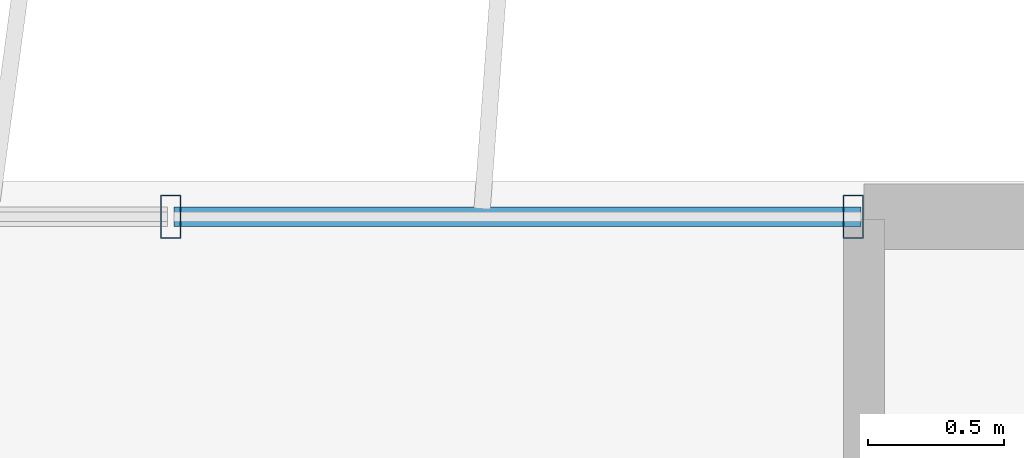
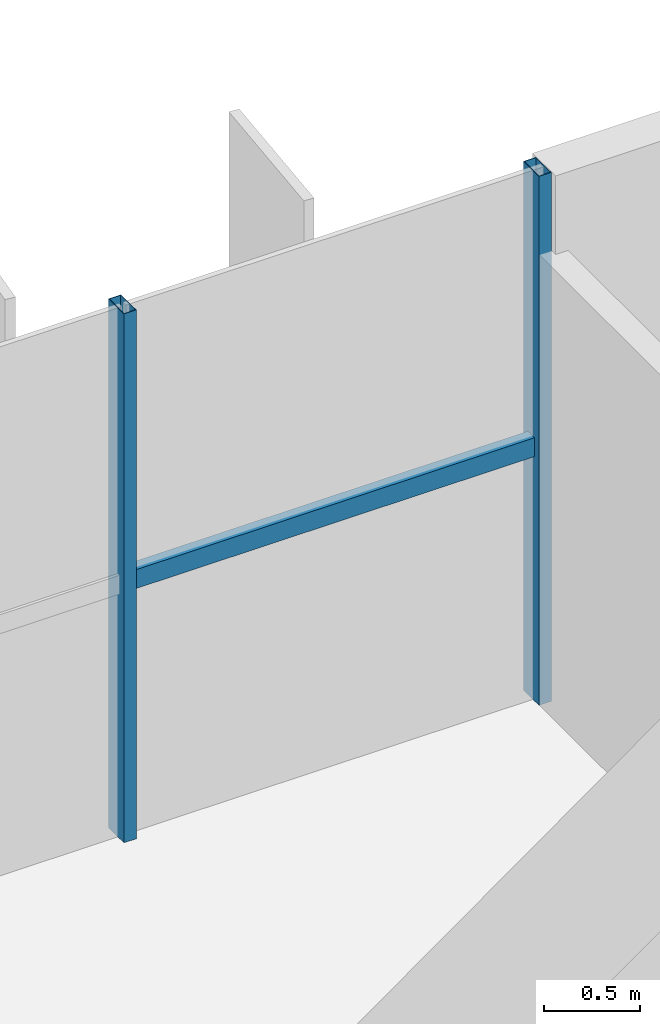
# One storey, part 14 of 22: 3 members, 1 element without a shape of its own.
"""IFC4 building model written with IfcOpenShell, lengths in metres."""

import ifcopenshell
import ifcopenshell.guid

model = None  # the IFC model being written
_history = None  # IfcOwnerHistory: only IFC2X3 demands one
_inside = {}  # id of a spatial element -> (the spatial element, [elements in it])
_under = {}  # id of a project, library or spatial element -> (it, [spatial elements below it])
_declared = {}  # id of a project -> (the project, [libraries it declares])
_typed = {}  # id of a type object -> (the type object, [elements of that type])
_made_of = {}  # id of a material, layer set ... -> (it, [elements and type objects made of it])


def new_model(schema):
    """Start an empty IFC model of exactly this schema.

    Asked for "IFC4X3", IfcOpenShell would pick the latest addendum, in which some entities
    have other attributes; the version numbers below select the first issue.
    IFC2X3 requires an IfcOwnerHistory on every rooted entity: one is made here for all.
    """
    global model, _history
    if schema == "IFC4X3":
        model = ifcopenshell.file(schema_version=(4, 3, 0, 0))
    else:
        model = ifcopenshell.file(schema=schema)
    _inside.clear()
    _under.clear()
    _declared.clear()
    _typed.clear()
    _made_of.clear()
    _history = None
    if model.schema == "IFC2X3":
        org = make("IfcOrganization", Name="unknown")
        user = make(
            "IfcPersonAndOrganization",
            ThePerson=make("IfcPerson", FamilyName="unknown"),
            TheOrganization=org,
        )
        app = make(
            "IfcApplication",
            ApplicationDeveloper=org,
            Version="unknown",
            ApplicationFullName="unknown",
            ApplicationIdentifier="unknown",
        )
        _history = make(
            "IfcOwnerHistory",
            OwningUser=user,
            OwningApplication=app,
            ChangeAction="ADDED",
            CreationDate=0,
        )
    return model


def make(cls, **values):
    """One entity of the class cls with the attributes given. An attribute that is None is left unset."""
    return model.create_entity(
        cls, **{name: value for name, value in values.items() if value is not None}
    )


def rooted(cls, **values):
    """An entity with a GlobalId (a new one), such as an element, a storey or a relation."""
    return make(cls, GlobalId=ifcopenshell.guid.new(), OwnerHistory=_history, **values)


def si_unit(unit_type, name, prefix=None):
    """IfcSIUnit, for example si_unit("LENGTHUNIT", "METRE", prefix="MILLI")."""
    return make("IfcSIUnit", UnitType=unit_type, Prefix=prefix, Name=name)


def assignment(units):
    """IfcUnitAssignment: the units of a project."""
    return None if units is None else make("IfcUnitAssignment", Units=units)


def point(xyz):
    """IfcCartesianPoint."""
    return None if xyz is None else make("IfcCartesianPoint", Coordinates=xyz)


def direction(xyz):
    """IfcDirection."""
    return None if xyz is None else make("IfcDirection", DirectionRatios=xyz)


def frame(location, z_axis=None, x_axis=None):
    """IfcAxis2Placement3D, a coordinate frame: its origin and axes. An axis left out is left unset."""
    return make(
        "IfcAxis2Placement3D",
        Location=point(location),
        Axis=direction(z_axis),
        RefDirection=direction(x_axis),
    )


def frame_2d(location, x_axis=None):
    """IfcAxis2Placement2D, a coordinate frame in the plane: its origin and x axis."""
    return make(
        "IfcAxis2Placement2D", Location=point(location), RefDirection=direction(x_axis)
    )


def origin():
    """The frame at (0, 0, 0) with its axes left unset."""
    return frame((0.0, 0.0, 0.0))


def origin_2d():
    """The frame at (0, 0) in the plane with its x axis left unset."""
    return frame_2d((0.0, 0.0))


def place(relative_to, where):
    """IfcLocalPlacement: puts the frame where relative to a parent placement (None: the world)."""
    return make(
        "IfcLocalPlacement", PlacementRelTo=relative_to, RelativePlacement=where
    )


def context(
    kind, dimensions, precision=None, world=None, true_north=None, identifier=None
):
    """IfcGeometricRepresentationContext, for example the 3D "Model" context."""
    return make(
        "IfcGeometricRepresentationContext",
        ContextIdentifier=identifier,
        ContextType=kind,
        CoordinateSpaceDimension=dimensions,
        Precision=precision,
        WorldCoordinateSystem=world,
        TrueNorth=true_north,
    )


def subcontext(parent, identifier, kind, view, scale=None):
    """IfcGeometricRepresentationSubContext, for example "Body" below "Model"."""
    return make(
        "IfcGeometricRepresentationSubContext",
        ContextIdentifier=identifier,
        ContextType=kind,
        ParentContext=parent,
        TargetScale=scale,
        TargetView=view,
    )


def project(units=None, contexts=None):
    """IfcProject with its units and contexts."""
    return rooted(
        "IfcProject",
        Name="project",
        RepresentationContexts=contexts,
        UnitsInContext=assignment(units),
    )


def spatial(cls, under=None, at=None, **own):
    """A site, building, storey or space (cls), placed at a placement, below another one or the project."""
    s = rooted(cls, ObjectPlacement=at, **own)
    if under is not None:
        _under.setdefault(under.id(), (under, []))[1].append(s)
    return s


def profile(cls, at=None, kind="AREA", **sizes):
    """A parametric profile (cls). Its sizes go by their IFC names, for example OverallWidth=200.0."""
    return make(cls, ProfileType=kind, Position=at, **sizes)


def hollow_rectangle(**sizes):
    """IfcRectangleHollowProfileDef."""
    return profile("IfcRectangleHollowProfileDef", **sizes)


def extrude(swept, where, along, depth):
    """IfcExtrudedAreaSolid: the profile swept, set in the frame where, extruded along a direction by depth."""
    return make(
        "IfcExtrudedAreaSolid",
        SweptArea=swept,
        Position=where,
        ExtrudedDirection=direction(along),
        Depth=depth,
    )


def shape(context_of_items, identifier, shape_type, items):
    """IfcShapeRepresentation: the items that make up one representation, for example the "Body"."""
    return make(
        "IfcShapeRepresentation",
        ContextOfItems=context_of_items,
        RepresentationIdentifier=identifier,
        RepresentationType=shape_type,
        Items=items,
    )


def source(mapping_origin, context_of_items, identifier, shape_type, items):
    """IfcRepresentationMap: a shape defined once, which mapped items show again and again."""
    return make(
        "IfcRepresentationMap",
        MappingOrigin=mapping_origin,
        MappedRepresentation=shape(context_of_items, identifier, shape_type, items),
    )


def transform(
    local_origin,
    x_axis=None,
    y_axis=None,
    z_axis=None,
    scale=None,
    scale2=None,
    scale3=None,
    uniform=True,
):
    """IfcCartesianTransformationOperator3D, or its non-uniform kind. x_axis, y_axis, z_axis: its Axis1, 2, 3."""
    if uniform:
        return make(
            "IfcCartesianTransformationOperator3D",
            Axis1=direction(x_axis),
            Axis2=direction(y_axis),
            LocalOrigin=point(local_origin),
            Scale=scale,
            Axis3=direction(z_axis),
        )
    return make(
        "IfcCartesianTransformationOperator3DnonUniform",
        Axis1=direction(x_axis),
        Axis2=direction(y_axis),
        LocalOrigin=point(local_origin),
        Scale=scale,
        Axis3=direction(z_axis),
        Scale2=scale2,
        Scale3=scale3,
    )


def mapped(mapping_source, mapping_target):
    """IfcMappedItem: shows the shape of a source again, moved by a transform."""
    return make(
        "IfcMappedItem", MappingSource=mapping_source, MappingTarget=mapping_target
    )


def material(Name=None, Category=None):
    """IfcMaterial."""
    return make("IfcMaterial", Name=Name, Category=Category)


def material_profile(
    of_material, cross_section, Name=None, Category=None, Priority=None
):
    """IfcMaterialProfile: a cross section and its material."""
    return make(
        "IfcMaterialProfile",
        Name=Name,
        Material=of_material,
        Profile=cross_section,
        Priority=Priority,
        Category=Category,
    )


def profile_set(profiles, Name=None, composite=None):
    """IfcMaterialProfileSet."""
    return make(
        "IfcMaterialProfileSet",
        Name=Name,
        MaterialProfiles=profiles,
        CompositeProfile=composite,
    )


def made_of(thing, what):
    """Note that an element or type object is made of a material, layer set ...; save() writes the relation."""
    if what is not None:
        _made_of.setdefault(what.id(), (what, []))[1].append(thing)
    return thing


def type_object(cls, material=None, **own):
    """A type object (cls), such as IfcWallType, which elements share."""
    return made_of(rooted(cls, **own), material)


def element(
    cls,
    number,
    at=None,
    inside=None,
    cuts=None,
    type_object=None,
    material=None,
    context=None,
    identifier="Body",
    shape_type=None,
    held_by="IfcProductDefinitionShape",
    body=None,
    shapes=None,
    **own,
):
    """One element of the class cls, such as IfcWall. Its Tag is "e" and its number.

    at: its placement. inside: the storey or other place that contains it. cuts: it is an
    opening in that element (IfcRelVoidsElement). A single representation is given by context,
    identifier, shape_type and body (its items); several are given by shapes. held_by: the class
    of the entity that holds the representations. save() writes the other relations.
    """
    e = rooted(cls, Tag="e%d" % number, ObjectPlacement=at, **own)
    if body is not None:
        shapes = [shape(context, identifier, shape_type, body)]
    if shapes is not None:
        e.Representation = make(held_by, Representations=shapes)
    if inside is not None:
        _inside.setdefault(inside.id(), (inside, []))[1].append(e)
    if cuts is not None:
        rooted(
            "IfcRelVoidsElement", RelatingBuildingElement=cuts, RelatedOpeningElement=e
        )
    if type_object is not None:
        _typed.setdefault(type_object.id(), (type_object, []))[1].append(e)
    return made_of(e, material)


def aggregate(whole, parts):
    """IfcRelAggregates: a whole, such as a stair, and the parts it consists of."""
    return rooted("IfcRelAggregates", RelatingObject=whole, RelatedObjects=parts)


def save(model, path):
    """Write the relations noted so far, then the file.

    IfcRelAggregates (storeys below a building ...), IfcRelContainedInSpatialStructure (elements
    in a storey), IfcRelDefinesByType, IfcRelAssociatesMaterial and IfcRelDeclares: one each for
    every whole, place, type object, material and project.
    """
    for whole, parts in _under.values():
        aggregate(whole, parts)
    for where, things in _inside.values():
        rooted(
            "IfcRelContainedInSpatialStructure",
            RelatedElements=things,
            RelatingStructure=where,
        )
    for kind, things in _typed.values():
        rooted("IfcRelDefinesByType", RelatedObjects=things, RelatingType=kind)
    for what, things in _made_of.values():
        rooted("IfcRelAssociatesMaterial", RelatedObjects=things, RelatingMaterial=what)
    for by, libraries in _declared.values():
        rooted("IfcRelDeclares", RelatingContext=by, RelatedDefinitions=libraries)
    model.write(path)


model = new_model("IFC4")

# Units and contexts
model_context = context("Model", 3, precision=1e-05, world=origin(), true_north=direction((0.0, 1.0)))
body_context = subcontext(model_context, "Body", "Model", "MODEL_VIEW")
ifc_project = project(units=[si_unit("LENGTHUNIT", "METRE"), si_unit("AREAUNIT", "SQUARE_METRE"), si_unit("VOLUMEUNIT", "CUBIC_METRE"), si_unit("PLANEANGLEUNIT", "RADIAN"), si_unit("MASSUNIT", "GRAM", prefix="KILO")], contexts=[model_context])

# Site, building, storey
site_placement = place(None, origin())
site = spatial("IfcSite", under=ifc_project, at=site_placement, CompositionType="ELEMENT")
building_placement = place(site_placement, origin())
building = spatial("IfcBuilding", under=site, at=building_placement, Name="Trelvane Seafront Commons", CompositionType="ELEMENT")
storey_placement = place(building_placement, frame((0.0, 0.0, 288.300048828125)))
storey = spatial("IfcBuildingStorey", under=building, at=storey_placement, Name="L75", CompositionType="ELEMENT", Elevation=288.300048828125)

# Curtain wall, members
ifc_material = material(Name="Anodised pale-silver aluminium", Category="aluminium")
curtain_wall_type = type_object("IfcCurtainWallType", Name="ARCH-CW5-UPTOWER", PredefinedType="NOTDEFINED", material=ifc_material)
curtain_wall_placement = place(storey_placement, origin())
curtain_wall = element("IfcCurtainWall", 1, at=curtain_wall_placement, inside=storey, type_object=curtain_wall_type, Name="CW-L75-0119", PredefinedType="NOTDEFINED")
ifc_material_profile_1 = material_profile(ifc_material, hollow_rectangle(XDim=0.070068359375, YDim=0.1201171875, WallThickness=0.00390625, at=origin_2d()), Name="TRAN-70x120x4")
ifc_profile_set_1 = profile_set([ifc_material_profile_1], Name="Anodised pale-silver aluminium")
member_type_1 = type_object("IfcMemberType", Name="ARCH-CW-TRAN-120", PredefinedType="USERDEFINED", material=ifc_profile_set_1)
shared_shape_1 = source(origin(), body_context, "Body", "SweptSolid", [
    extrude(hollow_rectangle(XDim=0.070068359375, YDim=0.1201171875, WallThickness=0.00390625, at=origin_2d()), origin(), (0.0, 0.0, 1.0), 2.517333984375),
])
member_1_placement = place(storey_placement, frame((56.270751953125, 48.3701171875, 1.617919921875), z_axis=(1.0, 0.0, 0.0), x_axis=(0.0, 1.0, 0.0)))
member_1 = element("IfcMember", 2, at=member_1_placement, type_object=member_type_1, Name="CW-L75-0119-T16", ObjectType="TRANSOM", PredefinedType="USERDEFINED", context=body_context, shape_type="MappedRepresentation", body=[
    mapped(shared_shape_1, transform((0.0, 0.0, 0.0), x_axis=(1.0, 0.0, 0.0), y_axis=(0.0, 1.0, 0.0), z_axis=(0.0, 0.0, 1.0), scale=1.0)),
])
ifc_material_profile_2 = material_profile(ifc_material, hollow_rectangle(XDim=0.074951171875, YDim=0.159912109375, WallThickness=0.00390625, at=origin_2d()), Name="MULL-75x160x4")
ifc_profile_set_2 = profile_set([ifc_material_profile_2], Name="Anodised pale-silver aluminium")
member_type_2 = type_object("IfcMemberType", Name="ARCH-CW-MULL-160", PredefinedType="MULLION", material=ifc_profile_set_2)
shared_shape_2 = source(origin(), body_context, "Body", "SweptSolid", [
    extrude(hollow_rectangle(XDim=0.074951171875, YDim=0.159912109375, WallThickness=0.00390625, at=origin_2d()), origin(), (0.0, 0.0, 1.0), 3.369873046875),
])
member_2_placement = place(storey_placement, frame((56.2587890625, 48.3701171875, 0.0), z_axis=(0.0, 0.0, 1.0), x_axis=(1.0, 0.0, 0.0)))
member_2 = element("IfcMember", 3, at=member_2_placement, type_object=member_type_2, Name="CW-L75-0119-M16", PredefinedType="MULLION", context=body_context, shape_type="MappedRepresentation", body=[
    mapped(shared_shape_2, transform((0.0, 0.0, 0.0), x_axis=(1.0, 0.0, 0.0), y_axis=(0.0, 1.0, 0.0), z_axis=(0.0, 0.0, 1.0), scale=1.0)),
])
member_3_placement = place(storey_placement, frame((58.760009765625, 48.3701171875, 0.0), z_axis=(0.0, 0.0, 1.0), x_axis=(1.0, 0.0, 0.0)))
member_3 = element("IfcMember", 4, at=member_3_placement, type_object=member_type_2, Name="CW-L75-0119-M17", PredefinedType="MULLION", context=body_context, shape_type="MappedRepresentation", body=[
    mapped(shared_shape_2, transform((0.0, 0.0, 0.0), x_axis=(1.0, 0.0, 0.0), y_axis=(0.0, 1.0, 0.0), z_axis=(0.0, 0.0, 1.0), scale=1.0)),
])
aggregate(curtain_wall, [member_2, member_3, member_1])

save(model, "model.ifc")
